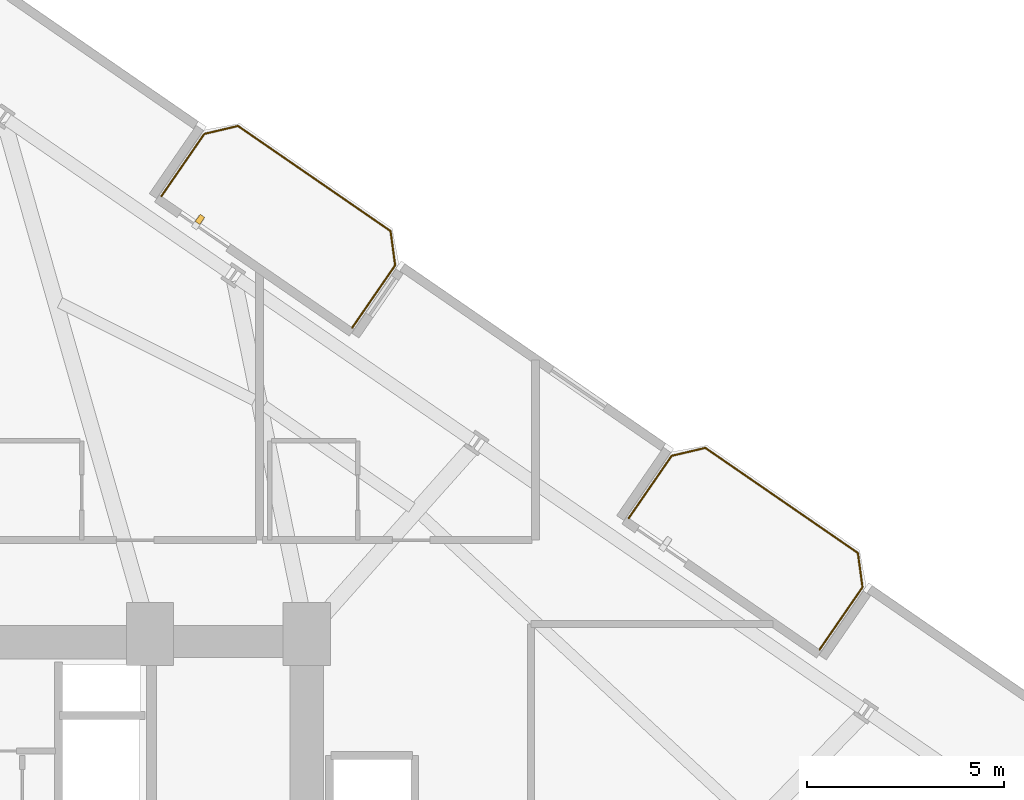
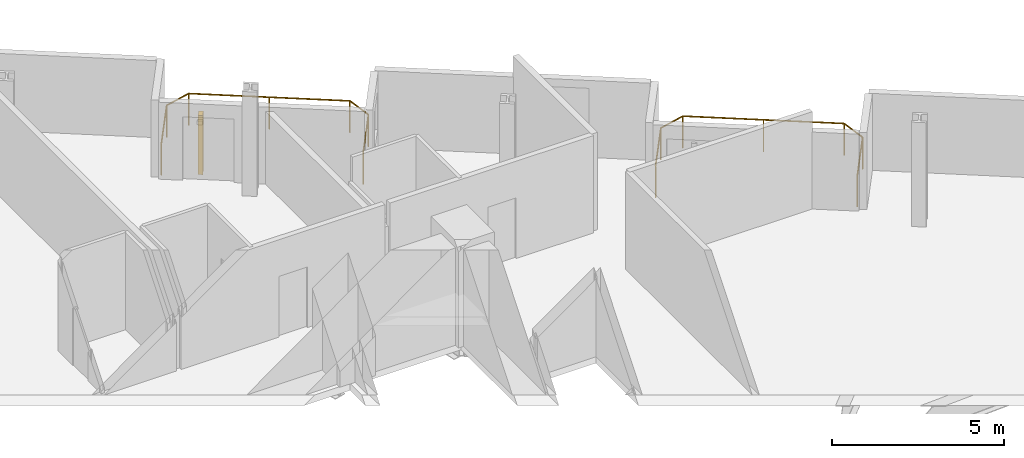
# One storey, part 25 of 25: 2 railings, 1 shading device.
"""IFC4 building model written with IfcOpenShell, lengths in metres."""

from ifc_helpers import new_model, si_unit, direction, frame, origin, origin_2d, place, context, subcontext, project, spatial, rectangle, circle, extrude, source, transform, mapped, material, type_object, element, save


model = new_model("IFC4")

# Units and contexts
model_context = context("Model", 3, precision=1e-05, world=origin(), true_north=direction((0.0, 1.0)))
body_context = subcontext(model_context, "Body", "Model", "MODEL_VIEW")
ifc_project = project(units=[si_unit("LENGTHUNIT", "METRE"), si_unit("AREAUNIT", "SQUARE_METRE"), si_unit("VOLUMEUNIT", "CUBIC_METRE"), si_unit("PLANEANGLEUNIT", "RADIAN"), si_unit("MASSUNIT", "GRAM", prefix="KILO")], contexts=[model_context])

# Site, building, storey
site_placement = place(None, origin())
site = spatial("IfcSite", under=ifc_project, at=site_placement, CompositionType="ELEMENT")
building_placement = place(site_placement, origin())
building = spatial("IfcBuilding", under=site, at=building_placement, Name="Varnelok Gate Tower", CompositionType="ELEMENT")
storey_placement = place(building_placement, frame((0.0, 0.0, 34.39990234375)))
storey = spatial("IfcBuildingStorey", under=building, at=storey_placement, Name="L07", CompositionType="ELEMENT", Elevation=34.39990234375)

# Railings
ifc_material_1 = material(Name="Low-E Laminated Double Glazing IGU", Category="glass")
railing_type = type_object("IfcRailingType", Name="RL-BALC-1150", PredefinedType="BALUSTRADE", material=ifc_material_1)
railing_1_placement = place(storey_placement, frame((44.010009765625, 50.158203125, 0.0)))
element("IfcRailing", 1, at=railing_1_placement, inside=storey, type_object=railing_type, Name="L07 North Terrace Balustrade 3", PredefinedType="BALUSTRADE", context=body_context, shape_type="SweptSolid", body=[
    extrude(circle(Radius=0.02392578125, at=origin_2d()), frame((0.0, 0.0, 1.1259765625), z_axis=(0.567284155424, 0.82352212296, 0.0), x_axis=(-0.82352212296, 0.567284155424, 0.0)), (0.0, 0.0, 1.0), 1.919921875),
    extrude(circle(Radius=0.02392578125, at=origin_2d()), frame((1.089111328125, 1.5810546875, 1.1259765625), z_axis=(0.973526462254, 0.228574336467, 0.0), x_axis=(-0.228574336467, 0.973526462254, 0.0)), (0.0, 0.0, 1.0), 0.8779296875),
    extrude(circle(Radius=0.02392578125, at=origin_2d()), frame((1.94384765625, 1.78173828125, 1.1259765625), z_axis=(0.823523239622, -0.567282534371, 0.0), x_axis=(0.567282534371, 0.823523239622, 0.0)), (0.0, 0.0, 1.0), 4.699951171875),
    extrude(circle(Radius=0.02392578125, at=origin_2d()), frame((5.814453125, -0.884521484375, 1.1259765625), z_axis=(0.133238627421, -0.991083986433, 0.0), x_axis=(0.991083986433, 0.133238627421, 0.0)), (0.0, 0.0, 1.0), 0.877685546875),
    extrude(circle(Radius=0.02392578125, at=origin_2d()), frame((5.931396484375, -1.75439453125, 1.1259765625), z_axis=(-0.567224752248, -0.823563039747, 0.0), x_axis=(0.823563039747, -0.567224752248, 0.0)), (0.0, 0.0, 1.0), 1.920166015625),
    extrude(circle(Radius=0.02099609375, at=origin_2d()), origin(), (0.0, 0.0, 1.0), 1.101806640625),
    extrude(circle(Radius=0.02099609375, at=origin_2d()), frame((1.089111328125, 1.5810546875, 0.0)), (0.0, 0.0, 1.0), 1.101806640625),
    extrude(circle(Radius=0.02099609375, at=origin_2d()), frame((1.94384765625, 1.78173828125, 0.0)), (0.0, 0.0, 1.0), 1.101806640625),
    extrude(circle(Radius=0.02099609375, at=origin_2d()), frame((3.879150390625, 0.44873046875, 0.0)), (0.0, 0.0, 1.0), 1.101806640625),
    extrude(circle(Radius=0.02099609375, at=origin_2d()), frame((5.814453125, -0.884521484375, 0.0)), (0.0, 0.0, 1.0), 1.101806640625),
    extrude(circle(Radius=0.02099609375, at=origin_2d()), frame((5.931396484375, -1.75439453125, 0.0)), (0.0, 0.0, 1.0), 1.101806640625),
    extrude(circle(Radius=0.02099609375, at=origin_2d()), frame((4.84228515625, -3.335693359375, 0.0)), (0.0, 0.0, 1.0), 1.101806640625),
])
railing_2_placement = place(storey_placement, frame((55.868896484375, 41.989501953125, 0.0)))
element("IfcRailing", 2, at=railing_2_placement, inside=storey, type_object=railing_type, Name="L07 North Terrace Balustrade 4", PredefinedType="BALUSTRADE", context=body_context, shape_type="SweptSolid", body=[
    extrude(circle(Radius=0.02392578125, at=origin_2d()), frame((0.0, 0.0, 1.1259765625), z_axis=(0.567284155424, 0.82352212296, 0.0), x_axis=(-0.82352212296, 0.567284155424, 0.0)), (0.0, 0.0, 1.0), 1.919921875),
    extrude(circle(Radius=0.02392578125, at=origin_2d()), frame((1.089111328125, 1.5810546875, 1.1259765625), z_axis=(0.973526462254, 0.228574336467, 0.0), x_axis=(-0.228574336467, 0.973526462254, 0.0)), (0.0, 0.0, 1.0), 0.8779296875),
    extrude(circle(Radius=0.02392578125, at=origin_2d()), frame((1.94384765625, 1.78173828125, 1.1259765625), z_axis=(0.823523239622, -0.567282534371, 0.0), x_axis=(0.567282534371, 0.823523239622, 0.0)), (0.0, 0.0, 1.0), 4.699951171875),
    extrude(circle(Radius=0.02392578125, at=origin_2d()), frame((5.814453125, -0.884521484375, 1.1259765625), z_axis=(0.133238627421, -0.991083986433, 0.0), x_axis=(0.991083986433, 0.133238627421, 0.0)), (0.0, 0.0, 1.0), 0.877685546875),
    extrude(circle(Radius=0.02392578125, at=origin_2d()), frame((5.931396484375, -1.75439453125, 1.1259765625), z_axis=(-0.567224752248, -0.823563039747, 0.0), x_axis=(0.823563039747, -0.567224752248, 0.0)), (0.0, 0.0, 1.0), 1.920166015625),
    extrude(circle(Radius=0.02099609375, at=origin_2d()), origin(), (0.0, 0.0, 1.0), 1.101806640625),
    extrude(circle(Radius=0.02099609375, at=origin_2d()), frame((1.089111328125, 1.5810546875, 0.0)), (0.0, 0.0, 1.0), 1.101806640625),
    extrude(circle(Radius=0.02099609375, at=origin_2d()), frame((1.94384765625, 1.78173828125, 0.0)), (0.0, 0.0, 1.0), 1.101806640625),
    extrude(circle(Radius=0.02099609375, at=origin_2d()), frame((3.879150390625, 0.44873046875, 0.0)), (0.0, 0.0, 1.0), 1.101806640625),
    extrude(circle(Radius=0.02099609375, at=origin_2d()), frame((5.814453125, -0.884521484375, 0.0)), (0.0, 0.0, 1.0), 1.101806640625),
    extrude(circle(Radius=0.02099609375, at=origin_2d()), frame((5.931396484375, -1.75439453125, 0.0)), (0.0, 0.0, 1.0), 1.101806640625),
    extrude(circle(Radius=0.02099609375, at=origin_2d()), frame((4.84228515625, -3.335693359375, 0.0)), (0.0, 0.0, 1.0), 1.101806640625),
])

# Shading device
ifc_material_2 = material(Name="Glazed Architectural Terracotta Ceramic", Category="masonry")
shading_device_type = type_object("IfcShadingDeviceType", Name="SHD-TERRA-FIN", PredefinedType="USERDEFINED", material=ifc_material_2)
shared_shape = source(origin(), body_context, "Body", "SweptSolid", [
    extrude(rectangle(XDim=0.139892578125, YDim=0.219970703125, at=origin_2d()), origin(), (0.0, 0.0, 1.0), 2.10009765625),
])
shading_device_placement = place(storey_placement, frame((44.988525390625, 49.569091796875, 0.10009765625), z_axis=(0.0, 0.0, 1.0), x_axis=(0.823532597628, -0.567268949127, 0.0)))
element("IfcShadingDevice", 3, at=shading_device_placement, inside=storey, type_object=shading_device_type, Name="L07 Terracotta Ceramic Baguette Sunscreen 3.1", ObjectType="BAGUETTE", PredefinedType="USERDEFINED", context=body_context, shape_type="MappedRepresentation", body=[
    mapped(shared_shape, transform((0.0, 0.0, 0.0), scale=1.0)),
])

save(model, "model.ifc")
